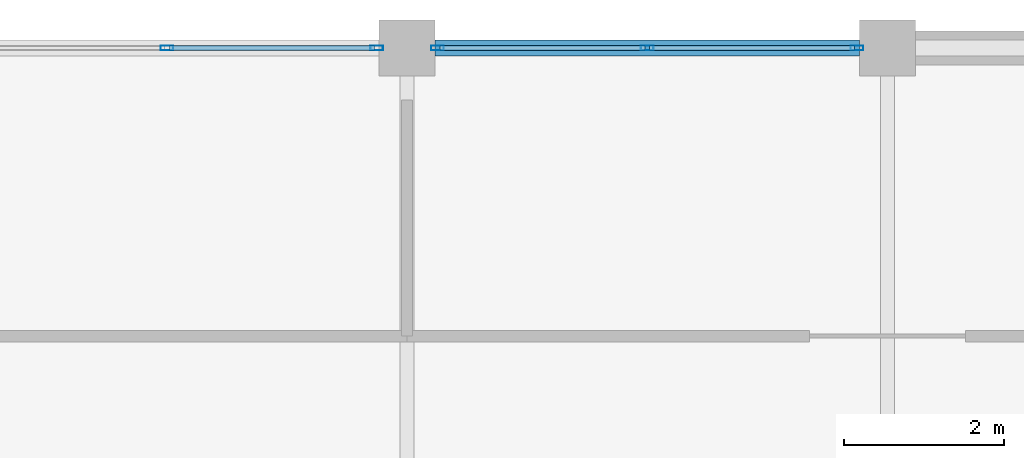
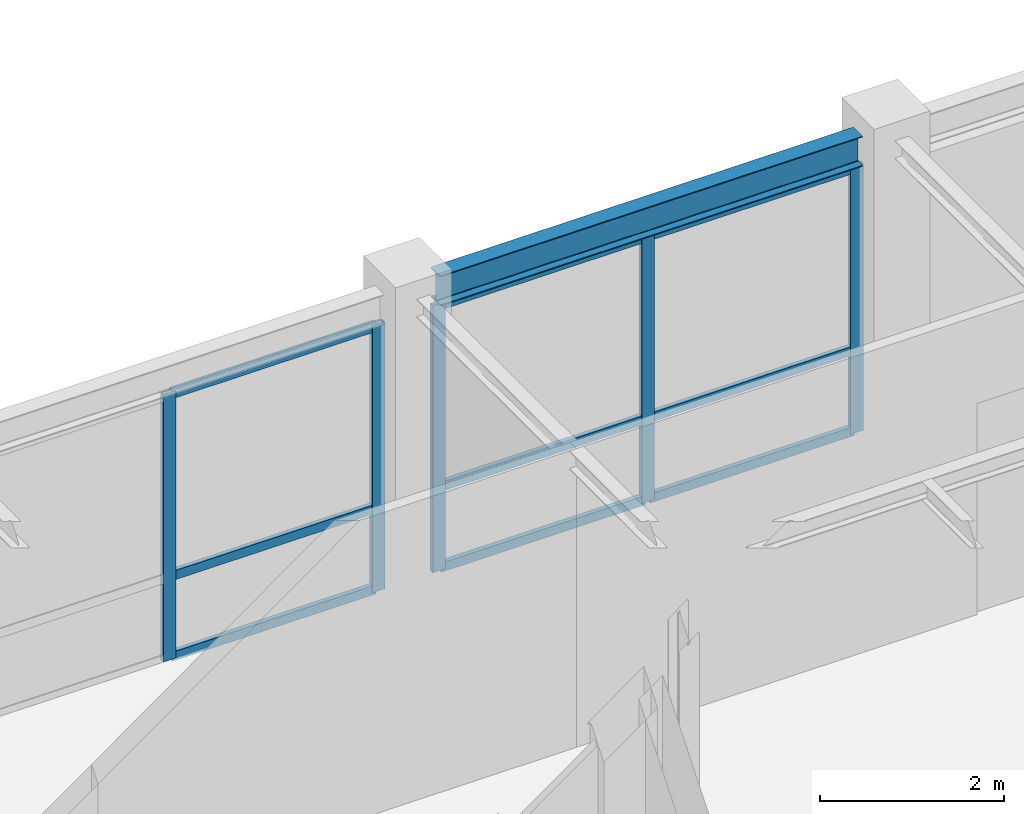
# One storey, part 10 of 14: 14 members, 1 beam, 2 elements without a shape of their own.
"""IFC4 building model written with IfcOpenShell, lengths in metres."""

from ifc_helpers import new_model, si_unit, direction, frame, origin, origin_2d, place, context, subcontext, project, spatial, hollow_rectangle, i_section, extrude, material, layer, layer_set, material_profile, profile_set, type_object, element, aggregate, save


model = new_model("IFC4")

# Units and contexts
model_context = context("Model", 3, precision=1e-05, world=origin(), true_north=direction((0.0, 1.0)))
body_context = subcontext(model_context, "Body", "Model", "MODEL_VIEW")
ifc_project = project(units=[si_unit("LENGTHUNIT", "METRE"), si_unit("AREAUNIT", "SQUARE_METRE"), si_unit("VOLUMEUNIT", "CUBIC_METRE"), si_unit("PLANEANGLEUNIT", "RADIAN"), si_unit("MASSUNIT", "GRAM", prefix="KILO")], contexts=[model_context])

# Site, building, storey
site_placement = place(None, origin())
site = spatial("IfcSite", under=ifc_project, at=site_placement, CompositionType="ELEMENT")
building_placement = place(site_placement, origin())
building = spatial("IfcBuilding", under=site, at=building_placement, Name="Zlatovratsky Civic Hall", CompositionType="ELEMENT")
storey_placement = place(building_placement, frame((0.0, 0.0, 67.800048828125)))
storey = spatial("IfcBuildingStorey", under=building, at=storey_placement, Name="L17", CompositionType="ELEMENT", Elevation=67.800048828125)

# Beam
ifc_material_1 = material(Name="Steel S355", Category="steel")
ifc_material_profile_1 = material_profile(ifc_material_1, i_section(OverallWidth=0.199951171875, OverallDepth=0.39990234375, WebThickness=0.008056640625, FlangeThickness=0.012939453125, FilletRadius=0.014892578125, at=origin_2d()), Name="40B2")
ifc_profile_set_1 = profile_set([ifc_material_profile_1], Name="Steel S355")
beam_type = type_object("IfcBeamType", Name="Beam_Spandrel_40B2", PredefinedType="SPANDREL", material=ifc_profile_set_1)
beam_placement = place(storey_placement, frame((84.35009765625, 102.0, 3.760009765625), z_axis=(1.0, 0.0, 0.0), x_axis=(0.0, 1.0, 0.0)))
element("IfcBeam", 1, at=beam_placement, inside=storey, type_object=beam_type, Name="BM-5218", PredefinedType="SPANDREL", context=body_context, shape_type="SweptSolid", body=[
    extrude(i_section(OverallWidth=0.199951171875, OverallDepth=0.39990234375, WebThickness=0.008056640625, FlangeThickness=0.012939453125, FilletRadius=0.014892578125, at=origin_2d()), origin(), (0.0, 0.0, 1.0), 5.2998046875),
])

# Curtain wall, members
ifc_material_2 = material(Name="Anodised bronze aluminium", Category="aluminium")
ifc_layer = layer(ifc_material_2, 0.159912109375)
ifc_layer_set = layer_set([ifc_layer], Name="Anodised bronze aluminium")
curtain_wall_type = type_object("IfcCurtainWallType", Name="CurtainWall_Bronze_5300x3540_25", PredefinedType="NOTDEFINED", material=ifc_layer_set)
curtain_wall_1_placement = place(storey_placement, origin())
curtain_wall_1 = element("IfcCurtainWall", 2, at=curtain_wall_1_placement, inside=storey, type_object=curtain_wall_type, Name="CW-179", PredefinedType="NOTDEFINED")
ifc_material_profile_2 = material_profile(ifc_material_2, hollow_rectangle(XDim=0.06005859375, YDim=0.159912109375, WallThickness=0.00390625, at=origin_2d()), Name="ALU 60x160x4")
ifc_profile_set_2 = profile_set([ifc_material_profile_2], Name="Anodised bronze aluminium")
member_type_1 = type_object("IfcMemberType", Name="CW_Mullion_60x160", PredefinedType="MULLION", material=ifc_profile_set_2)
member_1_placement = place(storey_placement, frame((81.0, 102.0, 0.0), z_axis=(0.0, 0.0, 1.0), x_axis=(0.0, 1.0, 0.0)))
member_1 = element("IfcMember", 3, at=member_1_placement, type_object=member_type_1, Name="CW-25 mullion 2", PredefinedType="MULLION", context=body_context, shape_type="SweptSolid", body=[
    extrude(hollow_rectangle(XDim=0.06005859375, YDim=0.159912109375, WallThickness=0.00390625, at=origin_2d()), origin(), (0.0, 0.0, 1.0), 3.5400390625),
])
member_2_placement = place(storey_placement, frame((83.6201171875, 102.0, 0.0), z_axis=(0.0, 0.0, 1.0), x_axis=(0.0, 1.0, 0.0)))
member_2 = element("IfcMember", 4, at=member_2_placement, type_object=member_type_1, Name="CW-25 mullion 3", PredefinedType="MULLION", context=body_context, shape_type="SweptSolid", body=[
    extrude(hollow_rectangle(XDim=0.06005859375, YDim=0.159912109375, WallThickness=0.00390625, at=origin_2d()), origin(), (0.0, 0.0, 1.0), 3.5400390625),
])

curtain_wall_2_placement = place(storey_placement, origin())
curtain_wall_2 = element("IfcCurtainWall", 5, at=curtain_wall_2_placement, inside=storey, type_object=curtain_wall_type, Name="CW-180", PredefinedType="NOTDEFINED")
member_3_placement = place(storey_placement, frame((84.3798828125, 102.0, 0.0), z_axis=(0.0, 0.0, 1.0), x_axis=(0.0, 1.0, 0.0)))
member_3 = element("IfcMember", 6, at=member_3_placement, type_object=member_type_1, Name="CW-25 mullion 1", PredefinedType="MULLION", context=body_context, shape_type="SweptSolid", body=[
    extrude(hollow_rectangle(XDim=0.06005859375, YDim=0.159912109375, WallThickness=0.00390625, at=origin_2d()), origin(), (0.0, 0.0, 1.0), 3.5400390625),
])
member_4_placement = place(storey_placement, frame((87.0, 102.0, 0.0), z_axis=(0.0, 0.0, 1.0), x_axis=(0.0, 1.0, 0.0)))
member_4 = element("IfcMember", 7, at=member_4_placement, type_object=member_type_1, Name="CW-25 mullion 2", PredefinedType="MULLION", context=body_context, shape_type="SweptSolid", body=[
    extrude(hollow_rectangle(XDim=0.06005859375, YDim=0.159912109375, WallThickness=0.00390625, at=origin_2d()), origin(), (0.0, 0.0, 1.0), 3.5400390625),
])
member_5_placement = place(storey_placement, frame((89.6201171875, 102.0, 0.0), z_axis=(0.0, 0.0, 1.0), x_axis=(0.0, 1.0, 0.0)))
member_5 = element("IfcMember", 8, at=member_5_placement, type_object=member_type_1, Name="CW-25 mullion 3", PredefinedType="MULLION", context=body_context, shape_type="SweptSolid", body=[
    extrude(hollow_rectangle(XDim=0.06005859375, YDim=0.159912109375, WallThickness=0.00390625, at=origin_2d()), origin(), (0.0, 0.0, 1.0), 3.5400390625),
])

# Member
ifc_material_profile_3 = material_profile(ifc_material_2, hollow_rectangle(XDim=0.06005859375, YDim=0.1201171875, WallThickness=0.00390625, at=origin_2d()), Name="ALU 60x120x4")
ifc_profile_set_3 = profile_set([ifc_material_profile_3], Name="Anodised bronze aluminium")
member_type_2 = type_object("IfcMemberType", Name="CW_Transom_60x120", PredefinedType="USERDEFINED", material=ifc_profile_set_3)
member_6_placement = place(storey_placement, frame((81.030029296875, 102.0, 0.030029296875), z_axis=(1.0, 0.0, 0.0), x_axis=(0.0, 1.0, 0.0)))
member_6 = element("IfcMember", 9, at=member_6_placement, type_object=member_type_2, Name="CW-25 transom 2.1", ObjectType="TRANSOM", PredefinedType="USERDEFINED", context=body_context, shape_type="SweptSolid", body=[
    extrude(hollow_rectangle(XDim=0.06005859375, YDim=0.1201171875, WallThickness=0.00390625, at=origin_2d()), origin(), (0.0, 0.0, 1.0), 2.56005859375),
])

member_7_placement = place(storey_placement, frame((81.030029296875, 102.0, 1.099853515625), z_axis=(1.0, 0.0, 0.0), x_axis=(0.0, 1.0, 0.0)))
member_7 = element("IfcMember", 10, at=member_7_placement, type_object=member_type_2, Name="CW-25 transom 2.2", ObjectType="TRANSOM", PredefinedType="USERDEFINED", context=body_context, shape_type="SweptSolid", body=[
    extrude(hollow_rectangle(XDim=0.06005859375, YDim=0.1201171875, WallThickness=0.00390625, at=origin_2d()), origin(), (0.0, 0.0, 1.0), 2.56005859375),
])

member_8_placement = place(storey_placement, frame((81.030029296875, 102.0, 3.510009765625), z_axis=(1.0, 0.0, 0.0), x_axis=(0.0, 1.0, 0.0)))
member_8 = element("IfcMember", 11, at=member_8_placement, type_object=member_type_2, Name="CW-25 transom 2.3", ObjectType="TRANSOM", PredefinedType="USERDEFINED", context=body_context, shape_type="SweptSolid", body=[
    extrude(hollow_rectangle(XDim=0.06005859375, YDim=0.1201171875, WallThickness=0.00390625, at=origin_2d()), origin(), (0.0, 0.0, 1.0), 2.56005859375),
])

aggregate(curtain_wall_1, [member_1, member_2, member_6, member_7, member_8])

member_9_placement = place(storey_placement, frame((84.409912109375, 102.0, 0.030029296875), z_axis=(1.0, 0.0, 0.0), x_axis=(0.0, 1.0, 0.0)))
member_9 = element("IfcMember", 12, at=member_9_placement, type_object=member_type_2, Name="CW-25 transom 1.1", ObjectType="TRANSOM", PredefinedType="USERDEFINED", context=body_context, shape_type="SweptSolid", body=[
    extrude(hollow_rectangle(XDim=0.06005859375, YDim=0.1201171875, WallThickness=0.00390625, at=origin_2d()), origin(), (0.0, 0.0, 1.0), 2.56005859375),
])

member_10_placement = place(storey_placement, frame((84.409912109375, 102.0, 1.099853515625), z_axis=(1.0, 0.0, 0.0), x_axis=(0.0, 1.0, 0.0)))
member_10 = element("IfcMember", 13, at=member_10_placement, type_object=member_type_2, Name="CW-25 transom 1.2", ObjectType="TRANSOM", PredefinedType="USERDEFINED", context=body_context, shape_type="SweptSolid", body=[
    extrude(hollow_rectangle(XDim=0.06005859375, YDim=0.1201171875, WallThickness=0.00390625, at=origin_2d()), origin(), (0.0, 0.0, 1.0), 2.56005859375),
])

member_11_placement = place(storey_placement, frame((84.409912109375, 102.0, 3.510009765625), z_axis=(1.0, 0.0, 0.0), x_axis=(0.0, 1.0, 0.0)))
member_11 = element("IfcMember", 14, at=member_11_placement, type_object=member_type_2, Name="CW-25 transom 1.3", ObjectType="TRANSOM", PredefinedType="USERDEFINED", context=body_context, shape_type="SweptSolid", body=[
    extrude(hollow_rectangle(XDim=0.06005859375, YDim=0.1201171875, WallThickness=0.00390625, at=origin_2d()), origin(), (0.0, 0.0, 1.0), 2.56005859375),
])

member_12_placement = place(storey_placement, frame((87.030029296875, 102.0, 0.030029296875), z_axis=(1.0, 0.0, 0.0), x_axis=(0.0, 1.0, 0.0)))
member_12 = element("IfcMember", 15, at=member_12_placement, type_object=member_type_2, Name="CW-25 transom 2.1", ObjectType="TRANSOM", PredefinedType="USERDEFINED", context=body_context, shape_type="SweptSolid", body=[
    extrude(hollow_rectangle(XDim=0.06005859375, YDim=0.1201171875, WallThickness=0.00390625, at=origin_2d()), origin(), (0.0, 0.0, 1.0), 2.56005859375),
])

member_13_placement = place(storey_placement, frame((87.030029296875, 102.0, 1.099853515625), z_axis=(1.0, 0.0, 0.0), x_axis=(0.0, 1.0, 0.0)))
member_13 = element("IfcMember", 16, at=member_13_placement, type_object=member_type_2, Name="CW-25 transom 2.2", ObjectType="TRANSOM", PredefinedType="USERDEFINED", context=body_context, shape_type="SweptSolid", body=[
    extrude(hollow_rectangle(XDim=0.06005859375, YDim=0.1201171875, WallThickness=0.00390625, at=origin_2d()), origin(), (0.0, 0.0, 1.0), 2.56005859375),
])

member_14_placement = place(storey_placement, frame((87.030029296875, 102.0, 3.510009765625), z_axis=(1.0, 0.0, 0.0), x_axis=(0.0, 1.0, 0.0)))
member_14 = element("IfcMember", 17, at=member_14_placement, type_object=member_type_2, Name="CW-25 transom 2.3", ObjectType="TRANSOM", PredefinedType="USERDEFINED", context=body_context, shape_type="SweptSolid", body=[
    extrude(hollow_rectangle(XDim=0.06005859375, YDim=0.1201171875, WallThickness=0.00390625, at=origin_2d()), origin(), (0.0, 0.0, 1.0), 2.56005859375),
])

aggregate(curtain_wall_2, [member_3, member_4, member_5, member_9, member_10, member_11, member_12, member_13, member_14])

save(model, "model.ifc")
